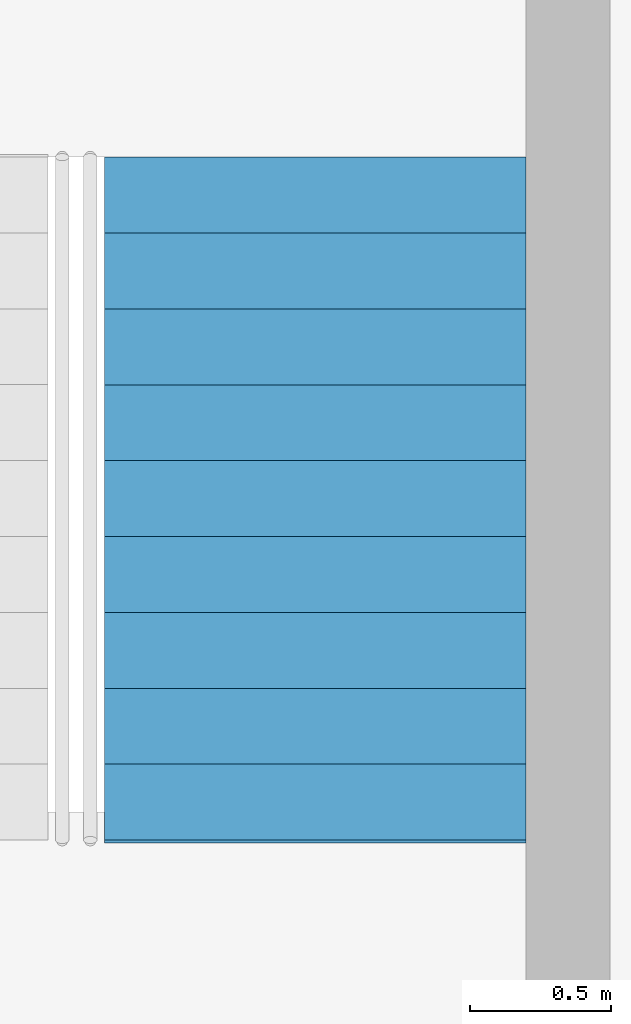
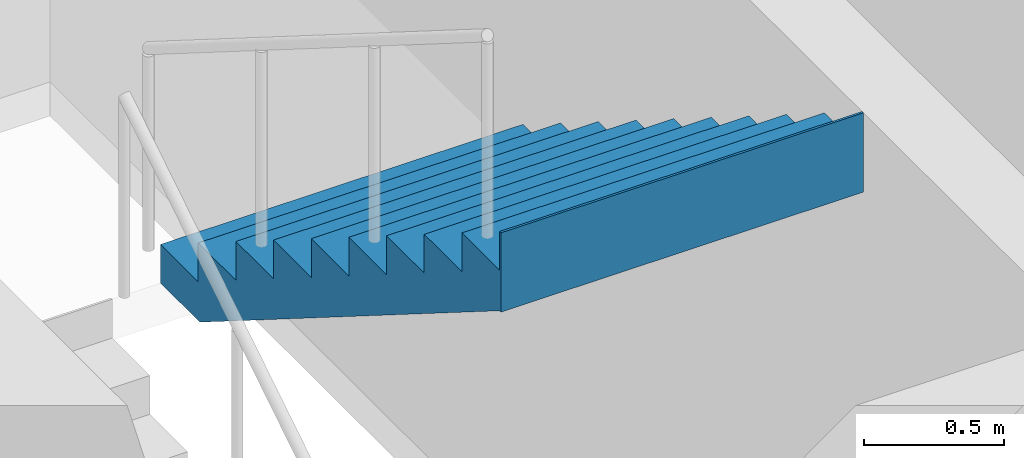
# One storey, part 12 of 13: 1 stair flight, 1 element without a shape of its own.
"""IFC4 building model written with IfcOpenShell, lengths in metres."""

from ifc_helpers import new_model, si_unit, direction, frame, origin, place, context, subcontext, project, spatial, polyline, outline, extrude, material, type_object, element, aggregate, save


model = new_model("IFC4")

# Units and contexts
model_context = context("Model", 3, precision=1e-05, world=origin(), true_north=direction((0.0, 1.0)))
body_context = subcontext(model_context, "Body", "Model", "MODEL_VIEW")
ifc_project = project(units=[si_unit("LENGTHUNIT", "METRE"), si_unit("AREAUNIT", "SQUARE_METRE"), si_unit("VOLUMEUNIT", "CUBIC_METRE"), si_unit("PLANEANGLEUNIT", "RADIAN"), si_unit("MASSUNIT", "GRAM", prefix="KILO")], contexts=[model_context])

# Site, building, storey
site_placement = place(None, origin())
site = spatial("IfcSite", under=ifc_project, at=site_placement, CompositionType="ELEMENT")
building_placement = place(site_placement, origin())
building = spatial("IfcBuilding", under=site, at=building_placement, Name="Torsade Residences", CompositionType="ELEMENT")
storey_placement = place(building_placement, frame((0.0, 0.0, 154.0)))
storey = spatial("IfcBuildingStorey", under=building, at=storey_placement, Name="L42", CompositionType="ELEMENT", Elevation=154.0)

# Stair, stair flight
ifc_material_1 = material(Name="Precast concrete 40 MPa", Category="concrete")
stair_type = type_object("IfcStairType", Name="HALF-TURN FIRE STAIR 1500x3400", PredefinedType="HALF_TURN_STAIR", material=ifc_material_1)
stair_placement = place(storey_placement, origin())
stair = element("IfcStair", 1, at=stair_placement, inside=storey, type_object=stair_type, Name="Stair ST1 L42", PredefinedType="HALF_TURN_STAIR")
ifc_material_2 = material(Name="Precast concrete 40 MPa", Category="concrete")
stair_flight_type = type_object("IfcStairFlightType", Name="PRECAST STAIR FLIGHT 1500x1700", PredefinedType="STRAIGHT", material=ifc_material_2)
stair_flight_placement = place(storey_placement, frame((31.25, 36.2099609375, 1.699951171875), z_axis=(0.0, 0.0, 1.0), x_axis=(0.0, -1.0, 0.0)))
stair_flight = element("IfcStairFlight", 2, at=stair_flight_placement, type_object=stair_flight_type, Name="ST1 flight 2", NumberOfRisers=10, NumberOfTreads=9, PredefinedType="STRAIGHT", RiserHeight=0.17, TreadLength=0.27, context=body_context, shape_type="SweptSolid", body=[
    extrude(outline(polyline([(0.0, 0.0), (0.0, 0.169921875), (0.27001953125, 0.169921875), (0.27001953125, 0.340087890625), (0.5400390625, 0.340087890625), (0.5400390625, 0.510009765625), (0.81005859375, 0.510009765625), (0.81005859375, 0.679931640625), (1.080078125, 0.679931640625), (1.080078125, 0.85009765625), (1.35009765625, 0.85009765625), (1.35009765625, 1.02001953125), (1.6201171875, 1.02001953125), (1.6201171875, 1.18994140625), (1.889892578125, 1.18994140625), (1.889892578125, 1.360107421875), (2.159912109375, 1.360107421875), (2.159912109375, 1.530029296875), (2.429931640625, 1.530029296875), (2.429931640625, 1.699951171875), (2.43994140625, 1.699951171875), (2.43994140625, 1.352783203125), (2.429931640625, 1.352783203125), (0.28125, 0.0), (0.0, 0.0)])), frame((0.0, 0.75, 0.0), z_axis=(0.0, -1.0, 0.0), x_axis=(1.0, 0.0, 0.0)), (0.0, 0.0, 1.0), 1.5),
])
aggregate(stair, [stair_flight])

save(model, "model.ifc")
